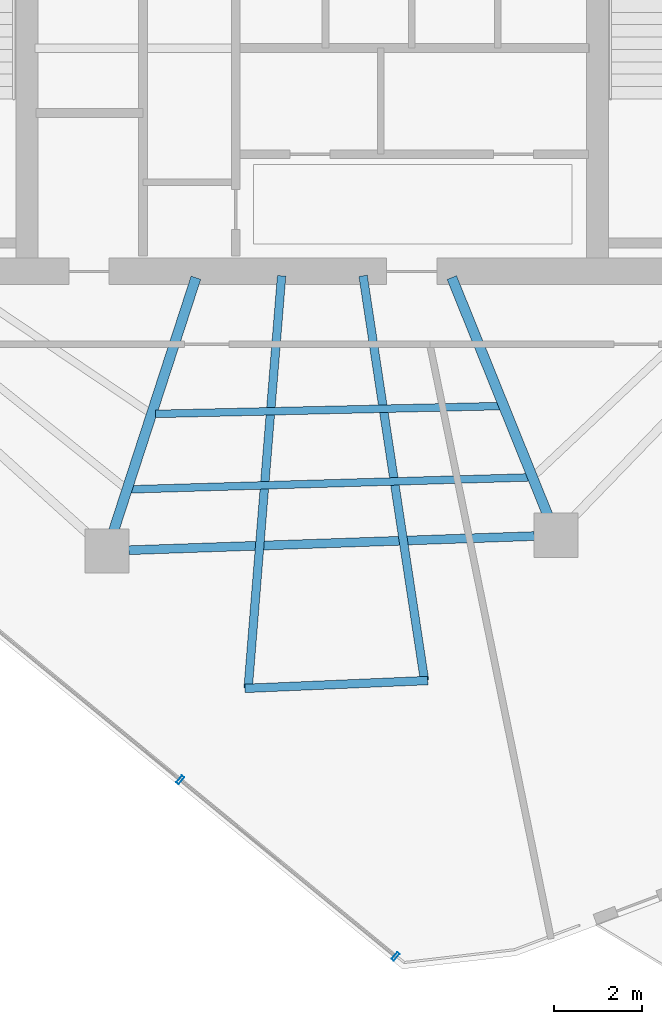
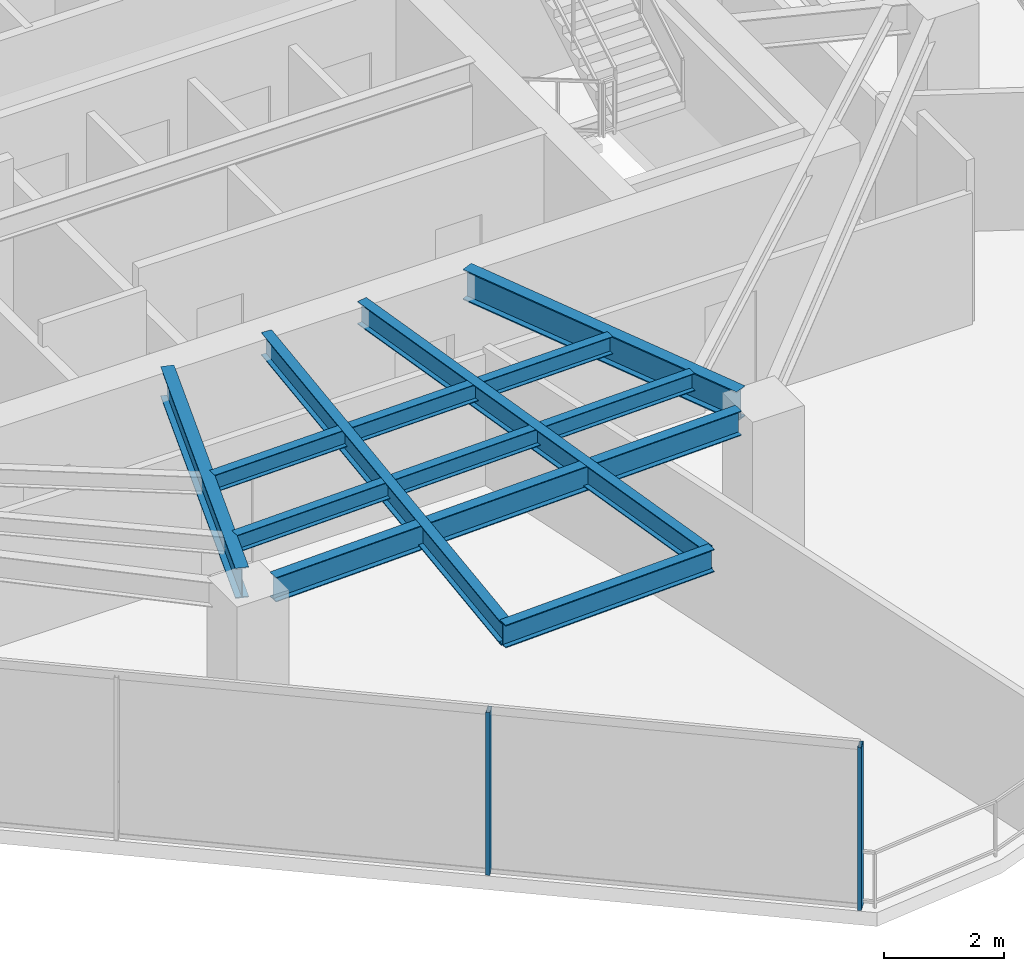
# One storey, part 4 of 19: 8 beams, 2 members, 1 element without a shape of its own.
"""IFC4 building model written with IfcOpenShell, lengths in metres."""

from ifc_helpers import new_model, si_unit, direction, frame, origin, origin_2d, place, context, subcontext, project, spatial, hollow_rectangle, i_section, extrude, material, layer, layer_set, material_profile, profile_set, type_object, element, aggregate, save


model = new_model("IFC4")

# Units and contexts
model_context = context("Model", 3, precision=1e-05, world=origin(), true_north=direction((0.0, 1.0)))
body_context = subcontext(model_context, "Body", "Model", "MODEL_VIEW")
ifc_project = project(units=[si_unit("LENGTHUNIT", "METRE"), si_unit("AREAUNIT", "SQUARE_METRE"), si_unit("VOLUMEUNIT", "CUBIC_METRE"), si_unit("PLANEANGLEUNIT", "RADIAN"), si_unit("MASSUNIT", "GRAM", prefix="KILO")], contexts=[model_context])

# Site, building, storey
site_placement = place(None, origin())
site = spatial("IfcSite", under=ifc_project, at=site_placement, CompositionType="ELEMENT")
building_placement = place(site_placement, origin())
building = spatial("IfcBuilding", under=site, at=building_placement, Name="Qarnah Convention Tower", CompositionType="ELEMENT")
storey_placement = place(building_placement, frame((0.0, 0.0, 143.699951171875)))
storey = spatial("IfcBuildingStorey", under=building, at=storey_placement, Name="L38", CompositionType="ELEMENT", Elevation=143.699951171875)

# Beams
ifc_material_1 = material(Name="Structural steel S355JR", Category="steel")
ifc_material_profile_1 = material_profile(ifc_material_1, i_section(OverallWidth=0.19189453125, OverallDepth=0.464111328125, WebThickness=0.010986328125, FlangeThickness=0.01806640625, at=origin_2d()), Name="W460X89")
ifc_profile_set_1 = profile_set([ifc_material_profile_1], Name="Structural steel S355JR")
beam_type_1 = type_object("IfcBeamType", Name="BM-CANT-W460A", PredefinedType="BEAM", material=ifc_profile_set_1)
beam_1_placement = place(storey_placement, frame((38.40087890625, 18.5009765625, 3.088134765625), z_axis=(0.150195006727, -0.988656391247, 0.0), x_axis=(0.988656391247, 0.150195006727, 0.0)))
element("IfcBeam", 1, at=beam_1_placement, inside=storey, type_object=beam_type_1, Name="L38 beam BM-L38-CNT-03-1", PredefinedType="BEAM", context=body_context, shape_type="SweptSolid", body=[
    extrude(i_section(OverallWidth=0.19189453125, OverallDepth=0.464111328125, WebThickness=0.010986328125, FlangeThickness=0.01806640625, at=origin_2d()), origin(), (0.0, 0.0, 1.0), 9.261962890625),
])
beam_2_placement = place(storey_placement, frame((36.55810546875, 18.5, 3.088134765625), z_axis=(-0.080897121946, -0.996722456685, 0.0), x_axis=(0.996722456685, -0.080897121946, 0.0)))
element("IfcBeam", 2, at=beam_2_placement, inside=storey, type_object=beam_type_1, Name="L38 beam BM-L38-CNT-03-2", PredefinedType="BEAM", context=body_context, shape_type="SweptSolid", body=[
    extrude(i_section(OverallWidth=0.19189453125, OverallDepth=0.464111328125, WebThickness=0.010986328125, FlangeThickness=0.01806640625, at=origin_2d()), origin(), (0.0, 0.0, 1.0), 9.358642578125),
])
beam_3_placement = place(storey_placement, frame((39.862060546875, 9.346923828125, 3.088134765625), z_axis=(-0.999073236436, -0.043042632785, 0.0), x_axis=(0.043042632785, -0.999073236436, 0.0)))
element("IfcBeam", 3, at=beam_3_placement, inside=storey, type_object=beam_type_1, Name="L38 spandrel BM-L38-CTIE-03", PredefinedType="SPANDREL", context=body_context, shape_type="SweptSolid", body=[
    extrude(i_section(OverallWidth=0.19189453125, OverallDepth=0.464111328125, WebThickness=0.010986328125, FlangeThickness=0.01806640625, at=origin_2d()), origin(), (0.0, 0.0, 1.0), 4.135009765625),
])
ifc_material_profile_2 = material_profile(ifc_material_1, i_section(OverallWidth=0.172119140625, OverallDepth=0.35595703125, WebThickness=0.007080078125, FlangeThickness=0.011962890625, at=origin_2d()), Name="W360X51")
ifc_profile_set_2 = profile_set([ifc_material_profile_2], Name="Structural steel S355JR")
beam_type_2 = type_object("IfcBeamType", Name="BM-JST-W360", PredefinedType="JOIST", material=ifc_profile_set_2)
beam_4_placement = place(storey_placement, frame((33.153076171875, 13.6708984375, 3.14208984375), z_axis=(0.999549139183, 0.030025295308, 0.0), x_axis=(-0.030025295308, 0.999549139183, 0.0)))
element("IfcBeam", 4, at=beam_4_placement, inside=storey, type_object=beam_type_2, Name="L38 joist BM-L38-SJST-07", PredefinedType="JOIST", context=body_context, shape_type="SweptSolid", body=[
    extrude(i_section(OverallWidth=0.172119140625, OverallDepth=0.35595703125, WebThickness=0.007080078125, FlangeThickness=0.011962890625, at=origin_2d()), origin(), (0.0, 0.0, 1.0), 8.9931640625),
])
beam_5_placement = place(storey_placement, frame((33.7080078125, 15.376953125, 3.14208984375), z_axis=(0.999741495438, 0.022736365137, 0.0), x_axis=(-0.022736365137, 0.999741495438, 0.0)))
element("IfcBeam", 5, at=beam_5_placement, inside=storey, type_object=beam_type_2, Name="L38 joist BM-L38-IJST-07", PredefinedType="JOIST", context=body_context, shape_type="SweptSolid", body=[
    extrude(i_section(OverallWidth=0.172119140625, OverallDepth=0.35595703125, WebThickness=0.007080078125, FlangeThickness=0.011962890625, at=origin_2d()), origin(), (0.0, 0.0, 1.0), 7.784912109375),
])
ifc_material_profile_3 = material_profile(ifc_material_1, i_section(OverallWidth=0.22998046875, OverallDepth=0.617919921875, WebThickness=0.012939453125, FlangeThickness=0.02197265625, at=origin_2d()), Name="W610X140")
ifc_profile_set_3 = profile_set([ifc_material_profile_3], Name="Structural steel S355JR")
beam_type_3 = type_object("IfcBeamType", Name="BM-RAD-W610A", PredefinedType="BEAM", material=ifc_profile_set_3)
beam_6_placement = place(storey_placement, frame((34.6201171875, 18.45703125, 3.010986328125), z_axis=(-0.30919796314, -0.950997696942, 0.0), x_axis=(0.950997696942, -0.30919796314, 0.0)))
element("IfcBeam", 6, at=beam_6_placement, inside=storey, type_object=beam_type_3, Name="L38 beam BM-L38-RAD-07", PredefinedType="BEAM", context=body_context, shape_type="SweptSolid", body=[
    extrude(i_section(OverallWidth=0.22998046875, OverallDepth=0.617919921875, WebThickness=0.012939453125, FlangeThickness=0.02197265625, at=origin_2d()), origin(), (0.0, 0.0, 1.0), 6.01904296875),
])
beam_7_placement = place(storey_placement, frame((40.406982421875, 18.4609375, 3.010986328125), z_axis=(0.374656949885, -0.927163507642, 0.0), x_axis=(0.927163507642, 0.374656949885, 0.0)))
element("IfcBeam", 7, at=beam_7_placement, inside=storey, type_object=beam_type_3, Name="L38 beam BM-L38-RAD-08", PredefinedType="BEAM", context=body_context, shape_type="SweptSolid", body=[
    extrude(i_section(OverallWidth=0.22998046875, OverallDepth=0.617919921875, WebThickness=0.012939453125, FlangeThickness=0.02197265625, at=origin_2d()), origin(), (0.0, 0.0, 1.0), 5.80810546875),
])
ifc_material_profile_4 = material_profile(ifc_material_1, i_section(OverallWidth=0.199951171875, OverallDepth=0.5, WebThickness=0.010009765625, FlangeThickness=0.01611328125, at=origin_2d()), Name="IPE500")
ifc_profile_set_4 = profile_set([ifc_material_profile_4], Name="Structural steel S355JR")
beam_type_4 = type_object("IfcBeamType", Name="BM-SPN-IPE500", PredefinedType="SPANDREL", material=ifc_profile_set_4)
beam_8_placement = place(storey_placement, frame((33.10107421875, 12.2939453125, 3.070068359375), z_axis=(0.999391665003, 0.034875491717, 0.0), x_axis=(-0.034875491717, 0.999391665003, 0.0)))
element("IfcBeam", 8, at=beam_8_placement, inside=storey, type_object=beam_type_4, Name="L38 spandrel BM-L38-SPN-07", PredefinedType="SPANDREL", context=body_context, shape_type="SweptSolid", body=[
    extrude(i_section(OverallWidth=0.199951171875, OverallDepth=0.5, WebThickness=0.010009765625, FlangeThickness=0.01611328125, at=origin_2d()), origin(), (0.0, 0.0, 1.0), 9.177490234375),
])

# Curtain wall, members
ifc_material_2 = material(Name="Tempered Low-E dark glass", Category="glass")
ifc_layer = layer(ifc_material_2, 0.172119140625)
ifc_layer_set = layer_set([ifc_layer], Name="Tempered Low-E dark glass")
curtain_wall_type = type_object("IfcCurtainWallType", Name="CWS-03", PredefinedType="NOTDEFINED", material=ifc_layer_set)
curtain_wall_placement = place(storey_placement, origin())
curtain_wall = element("IfcCurtainWall", 9, at=curtain_wall_placement, inside=storey, type_object=curtain_wall_type, Name="L38 unitised curtain wall CW-L38-F2", PredefinedType="NOTDEFINED")
ifc_material_3 = material(Name="Black anodised aluminium", Category="aluminium")
ifc_material_profile_5 = material_profile(ifc_material_3, hollow_rectangle(XDim=0.070068359375, YDim=0.199951171875, WallThickness=0.0048828125, at=origin_2d()), Name="MUL-70X200")
ifc_profile_set_5 = profile_set([ifc_material_profile_5], Name="Black anodised aluminium")
member_type = type_object("IfcMemberType", Name="MUL-T3", PredefinedType="MULLION", material=ifc_profile_set_5)
member_1_placement = place(storey_placement, frame((39.135009765625, 3.10693359375, 0.0), z_axis=(0.0, 0.0, 1.0), x_axis=(-0.773174020176, 0.634193925014, 0.0)))
member_1 = element("IfcMember", 10, at=member_1_placement, type_object=member_type, Name="CW-L38-F2 mullion 1", PredefinedType="MULLION", context=body_context, shape_type="SweptSolid", body=[
    extrude(hollow_rectangle(XDim=0.070068359375, YDim=0.199951171875, WallThickness=0.0048828125, at=origin_2d()), origin(), (0.0, 0.0, 1.0), 3.320068359375),
])
member_2_placement = place(storey_placement, frame((34.26708984375, 7.099853515625, 0.0), z_axis=(0.0, 0.0, 1.0), x_axis=(-0.773174020176, 0.634193925014, 0.0)))
member_2 = element("IfcMember", 11, at=member_2_placement, type_object=member_type, Name="CW-L38-F2 mullion 2", PredefinedType="MULLION", context=body_context, shape_type="SweptSolid", body=[
    extrude(hollow_rectangle(XDim=0.070068359375, YDim=0.199951171875, WallThickness=0.0048828125, at=origin_2d()), origin(), (0.0, 0.0, 1.0), 3.320068359375),
])
aggregate(curtain_wall, [member_1, member_2])

save(model, "model.ifc")
